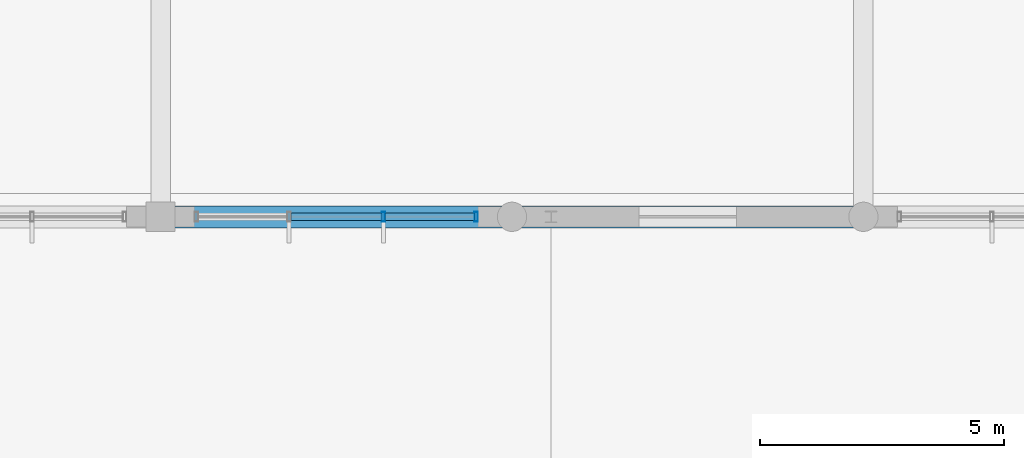
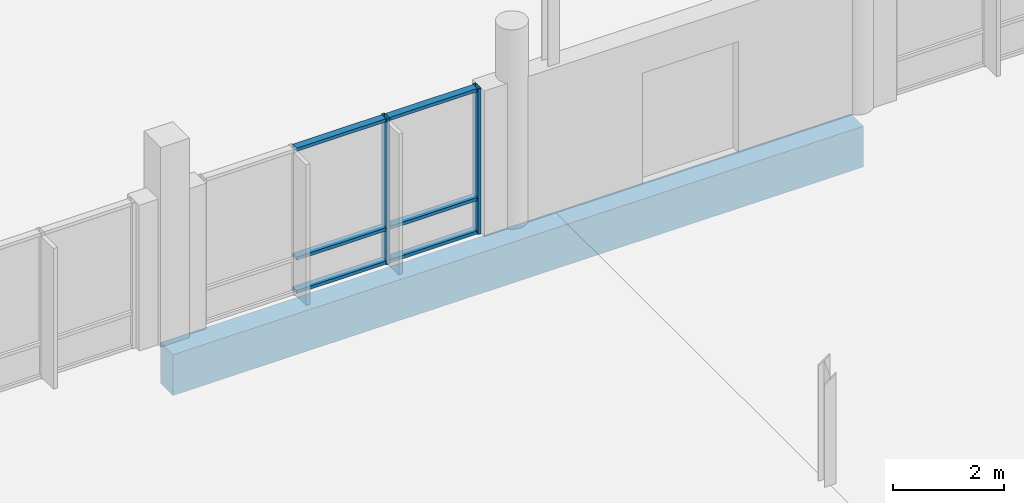
# One storey, part 69 of 233: 8 members, 1 beam, 1 element without a shape of its own.
"""IFC4 building model written with IfcOpenShell, lengths in metres."""

from ifc_helpers import new_model, si_unit, direction, frame, origin, origin_2d, place, context, subcontext, project, spatial, rectangle, hollow_rectangle, extrude, material, material_profile, profile_set, type_object, element, aggregate, save


model = new_model("IFC4")

# Units and contexts
model_context = context("Model", 3, precision=1e-05, world=origin(), true_north=direction((0.0, 1.0)))
body_context = subcontext(model_context, "Body", "Model", "MODEL_VIEW")
ifc_project = project(units=[si_unit("LENGTHUNIT", "METRE"), si_unit("AREAUNIT", "SQUARE_METRE"), si_unit("VOLUMEUNIT", "CUBIC_METRE"), si_unit("PLANEANGLEUNIT", "RADIAN"), si_unit("MASSUNIT", "GRAM", prefix="KILO")], contexts=[model_context])

# Site, building, storey
site_placement = place(None, origin())
site = spatial("IfcSite", under=ifc_project, at=site_placement, CompositionType="ELEMENT")
building_placement = place(site_placement, origin())
building = spatial("IfcBuilding", under=site, at=building_placement, Name="Zavelmont Quarter", CompositionType="ELEMENT")
storey_placement = place(building_placement, origin())
storey = spatial("IfcBuildingStorey", under=building, at=storey_placement, Name="L00", CompositionType="ELEMENT", Elevation=0.0)

# Beam
ifc_material_1 = material(Name="Concrete C40/50", Category="concrete")
ifc_material_profile_1 = material_profile(ifc_material_1, rectangle(XDim=0.449951171875, YDim=0.89990234375, at=origin_2d()), Name="RC450X900")
ifc_profile_set_1 = profile_set([ifc_material_profile_1], Name="Concrete C40/50")
beam_type = type_object("IfcBeamType", Name="BM06", PredefinedType="BEAM", material=ifc_profile_set_1)
beam_placement = place(storey_placement, frame((84.0, 30.0, -0.77001953125), z_axis=(1.0, 0.0, 0.0), x_axis=(0.0, 1.0, 0.0)))
element("IfcBeam", 1, at=beam_placement, inside=storey, type_object=beam_type, Name="L00 beam BM06 13/F to 15/F", PredefinedType="BEAM", context=body_context, shape_type="SweptSolid", body=[
    extrude(rectangle(XDim=0.449951171875, YDim=0.89990234375, at=origin_2d()), origin(), (0.0, 0.0, 1.0), 14.39990234375),
])

# Curtain wall, members
ifc_material_2 = material(Name="Thermally broken aluminium and double low-E safety glazing", Category="aluminium")
curtain_wall_type = type_object("IfcCurtainWallType", Name="CW-580X321", PredefinedType="NOTDEFINED", material=ifc_material_2)
curtain_wall_placement = place(storey_placement, origin())
curtain_wall = element("IfcCurtainWall", 2, at=curtain_wall_placement, inside=storey, type_object=curtain_wall_type, Name="L00 unitised curtain wall CW-580X321", PredefinedType="NOTDEFINED")
ifc_material_3 = material(Name="Powder-coated aluminium EN AW-6063-T6", Category="aluminium")
ifc_material_profile_2 = material_profile(ifc_material_3, hollow_rectangle(XDim=0.070068359375, YDim=0.199951171875, WallThickness=0.0048828125, at=origin_2d()), Name="CWM70X200")
ifc_profile_set_2 = profile_set([ifc_material_profile_2], Name="Powder-coated aluminium EN AW-6063-T6")
member_type_1 = type_object("IfcMemberType", Name="CWM02", PredefinedType="MULLION", material=ifc_profile_set_2)
member_1_placement = place(storey_placement, frame((88.566650390625, 30.0, 0.0), z_axis=(0.0, 0.0, 1.0), x_axis=(1.0, 0.0, 0.0)))
member_1 = element("IfcMember", 3, at=member_1_placement, type_object=member_type_1, Name="CW-580X321 mullion 3", PredefinedType="MULLION", context=body_context, shape_type="SweptSolid", body=[
    extrude(hollow_rectangle(XDim=0.070068359375, YDim=0.199951171875, WallThickness=0.0048828125, at=origin_2d()), origin(), (0.0, 0.0, 1.0), 3.2099609375),
])
member_2_placement = place(storey_placement, frame((90.465087890625, 30.0, 0.0), z_axis=(0.0, 0.0, 1.0), x_axis=(1.0, 0.0, 0.0)))
member_2 = element("IfcMember", 4, at=member_2_placement, type_object=member_type_1, Name="CW-580X321 mullion 4", PredefinedType="MULLION", context=body_context, shape_type="SweptSolid", body=[
    extrude(hollow_rectangle(XDim=0.070068359375, YDim=0.199951171875, WallThickness=0.0048828125, at=origin_2d()), origin(), (0.0, 0.0, 1.0), 3.2099609375),
])
ifc_material_profile_3 = material_profile(ifc_material_3, hollow_rectangle(XDim=0.14990234375, YDim=0.070068359375, WallThickness=0.00439453125, at=origin_2d()), Name="CWT70X150")
ifc_profile_set_3 = profile_set([ifc_material_profile_3], Name="Powder-coated aluminium EN AW-6063-T6")
member_type_2 = type_object("IfcMemberType", Name="CWT02", PredefinedType="NOTDEFINED", material=ifc_profile_set_3)
member_3_placement = place(storey_placement, frame((86.668212890625, 30.0, 0.034912109375), z_axis=(1.0, 0.0, 0.0), x_axis=(0.0, 1.0, 0.0)))
member_3 = element("IfcMember", 5, at=member_3_placement, type_object=member_type_2, Name="CW-580X321 transom 2.1", ObjectType="TRANSOM", PredefinedType="USERDEFINED", context=body_context, shape_type="SweptSolid", body=[
    extrude(hollow_rectangle(XDim=0.14990234375, YDim=0.070068359375, WallThickness=0.00439453125, at=origin_2d()), origin(), (0.0, 0.0, 1.0), 1.863525390625),
])
member_4_placement = place(storey_placement, frame((86.668212890625, 30.0, 0.77001953125), z_axis=(1.0, 0.0, 0.0), x_axis=(0.0, 1.0, 0.0)))
member_4 = element("IfcMember", 6, at=member_4_placement, type_object=member_type_2, Name="CW-580X321 transom 2.2", ObjectType="TRANSOM", PredefinedType="USERDEFINED", context=body_context, shape_type="SweptSolid", body=[
    extrude(hollow_rectangle(XDim=0.14990234375, YDim=0.070068359375, WallThickness=0.00439453125, at=origin_2d()), origin(), (0.0, 0.0, 1.0), 1.863525390625),
])
member_5_placement = place(storey_placement, frame((86.668212890625, 30.0, 3.175048828125), z_axis=(1.0, 0.0, 0.0), x_axis=(0.0, 1.0, 0.0)))
member_5 = element("IfcMember", 7, at=member_5_placement, type_object=member_type_2, Name="CW-580X321 transom 2.3", ObjectType="TRANSOM", PredefinedType="USERDEFINED", context=body_context, shape_type="SweptSolid", body=[
    extrude(hollow_rectangle(XDim=0.14990234375, YDim=0.070068359375, WallThickness=0.00439453125, at=origin_2d()), origin(), (0.0, 0.0, 1.0), 1.863525390625),
])
member_6_placement = place(storey_placement, frame((88.6015625, 30.0, 0.034912109375), z_axis=(1.0, 0.0, 0.0), x_axis=(0.0, 1.0, 0.0)))
member_6 = element("IfcMember", 8, at=member_6_placement, type_object=member_type_2, Name="CW-580X321 transom 3.1", ObjectType="TRANSOM", PredefinedType="USERDEFINED", context=body_context, shape_type="SweptSolid", body=[
    extrude(hollow_rectangle(XDim=0.14990234375, YDim=0.070068359375, WallThickness=0.00439453125, at=origin_2d()), origin(), (0.0, 0.0, 1.0), 1.828369140625),
])
member_7_placement = place(storey_placement, frame((88.6015625, 30.0, 0.77001953125), z_axis=(1.0, 0.0, 0.0), x_axis=(0.0, 1.0, 0.0)))
member_7 = element("IfcMember", 9, at=member_7_placement, type_object=member_type_2, Name="CW-580X321 transom 3.2", ObjectType="TRANSOM", PredefinedType="USERDEFINED", context=body_context, shape_type="SweptSolid", body=[
    extrude(hollow_rectangle(XDim=0.14990234375, YDim=0.070068359375, WallThickness=0.00439453125, at=origin_2d()), origin(), (0.0, 0.0, 1.0), 1.828369140625),
])
member_8_placement = place(storey_placement, frame((88.6015625, 30.0, 3.175048828125), z_axis=(1.0, 0.0, 0.0), x_axis=(0.0, 1.0, 0.0)))
member_8 = element("IfcMember", 10, at=member_8_placement, type_object=member_type_2, Name="CW-580X321 transom 3.3", ObjectType="TRANSOM", PredefinedType="USERDEFINED", context=body_context, shape_type="SweptSolid", body=[
    extrude(hollow_rectangle(XDim=0.14990234375, YDim=0.070068359375, WallThickness=0.00439453125, at=origin_2d()), origin(), (0.0, 0.0, 1.0), 1.828369140625),
])
aggregate(curtain_wall, [member_1, member_2, member_3, member_4, member_5, member_6, member_7, member_8])

save(model, "model.ifc")
